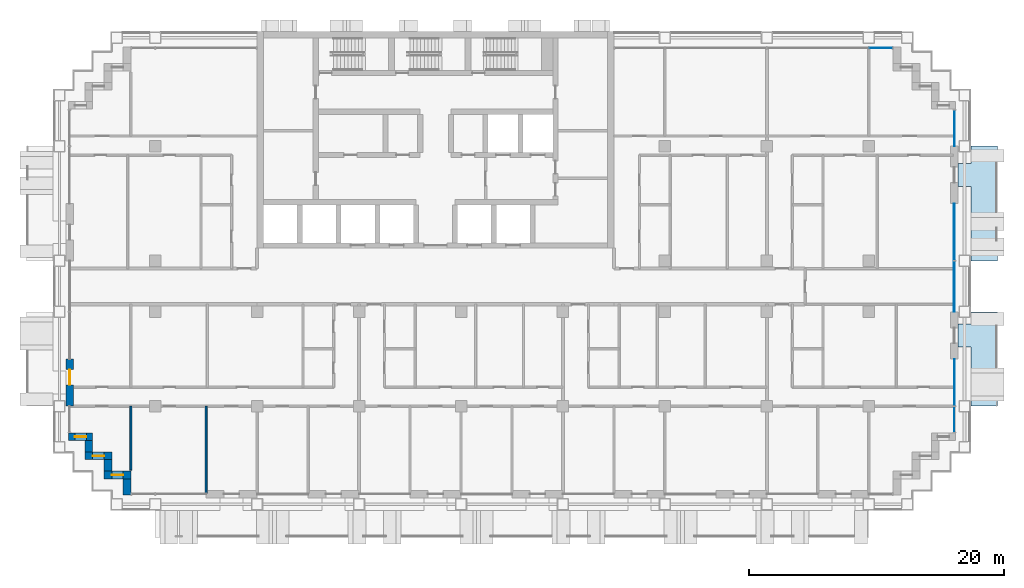
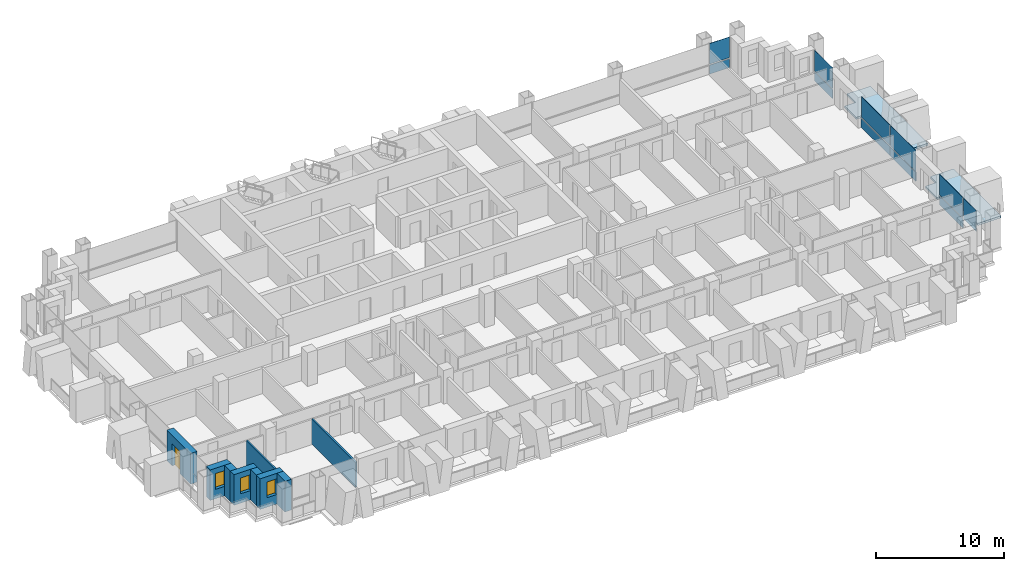
# One storey, part 8 of 18: 11 plates, 9 walls, 3 windows, 2 slabs, 1 door, 4 openings, 4 elements without a shape of their own.
"""IFC4 building model written with IfcOpenShell, lengths in metres."""

import ifcopenshell
import ifcopenshell.guid

model = None  # the IFC model being written
_history = None  # IfcOwnerHistory: only IFC2X3 demands one
_inside = {}  # id of a spatial element -> (the spatial element, [elements in it])
_under = {}  # id of a project, library or spatial element -> (it, [spatial elements below it])
_declared = {}  # id of a project -> (the project, [libraries it declares])
_typed = {}  # id of a type object -> (the type object, [elements of that type])
_made_of = {}  # id of a material, layer set ... -> (it, [elements and type objects made of it])


def new_model(schema):
    """Start an empty IFC model of exactly this schema.

    Asked for "IFC4X3", IfcOpenShell would pick the latest addendum, in which some entities
    have other attributes; the version numbers below select the first issue.
    IFC2X3 requires an IfcOwnerHistory on every rooted entity: one is made here for all.
    """
    global model, _history
    if schema == "IFC4X3":
        model = ifcopenshell.file(schema_version=(4, 3, 0, 0))
    else:
        model = ifcopenshell.file(schema=schema)
    _inside.clear()
    _under.clear()
    _declared.clear()
    _typed.clear()
    _made_of.clear()
    _history = None
    if model.schema == "IFC2X3":
        org = make("IfcOrganization", Name="unknown")
        user = make(
            "IfcPersonAndOrganization",
            ThePerson=make("IfcPerson", FamilyName="unknown"),
            TheOrganization=org,
        )
        app = make(
            "IfcApplication",
            ApplicationDeveloper=org,
            Version="unknown",
            ApplicationFullName="unknown",
            ApplicationIdentifier="unknown",
        )
        _history = make(
            "IfcOwnerHistory",
            OwningUser=user,
            OwningApplication=app,
            ChangeAction="ADDED",
            CreationDate=0,
        )
    return model


def make(cls, **values):
    """One entity of the class cls with the attributes given. An attribute that is None is left unset."""
    return model.create_entity(
        cls, **{name: value for name, value in values.items() if value is not None}
    )


def rooted(cls, **values):
    """An entity with a GlobalId (a new one), such as an element, a storey or a relation."""
    return make(cls, GlobalId=ifcopenshell.guid.new(), OwnerHistory=_history, **values)


def si_unit(unit_type, name, prefix=None):
    """IfcSIUnit, for example si_unit("LENGTHUNIT", "METRE", prefix="MILLI")."""
    return make("IfcSIUnit", UnitType=unit_type, Prefix=prefix, Name=name)


def assignment(units):
    """IfcUnitAssignment: the units of a project."""
    return None if units is None else make("IfcUnitAssignment", Units=units)


def point(xyz):
    """IfcCartesianPoint."""
    return None if xyz is None else make("IfcCartesianPoint", Coordinates=xyz)


def direction(xyz):
    """IfcDirection."""
    return None if xyz is None else make("IfcDirection", DirectionRatios=xyz)


def frame(location, z_axis=None, x_axis=None):
    """IfcAxis2Placement3D, a coordinate frame: its origin and axes. An axis left out is left unset."""
    return make(
        "IfcAxis2Placement3D",
        Location=point(location),
        Axis=direction(z_axis),
        RefDirection=direction(x_axis),
    )


def frame_2d(location, x_axis=None):
    """IfcAxis2Placement2D, a coordinate frame in the plane: its origin and x axis."""
    return make(
        "IfcAxis2Placement2D", Location=point(location), RefDirection=direction(x_axis)
    )


def origin():
    """The frame at (0, 0, 0) with its axes left unset."""
    return frame((0.0, 0.0, 0.0))


def origin_2d():
    """The frame at (0, 0) in the plane with its x axis left unset."""
    return frame_2d((0.0, 0.0))


def place(relative_to, where):
    """IfcLocalPlacement: puts the frame where relative to a parent placement (None: the world)."""
    return make(
        "IfcLocalPlacement", PlacementRelTo=relative_to, RelativePlacement=where
    )


def context(
    kind, dimensions, precision=None, world=None, true_north=None, identifier=None
):
    """IfcGeometricRepresentationContext, for example the 3D "Model" context."""
    return make(
        "IfcGeometricRepresentationContext",
        ContextIdentifier=identifier,
        ContextType=kind,
        CoordinateSpaceDimension=dimensions,
        Precision=precision,
        WorldCoordinateSystem=world,
        TrueNorth=true_north,
    )


def subcontext(parent, identifier, kind, view, scale=None):
    """IfcGeometricRepresentationSubContext, for example "Body" below "Model"."""
    return make(
        "IfcGeometricRepresentationSubContext",
        ContextIdentifier=identifier,
        ContextType=kind,
        ParentContext=parent,
        TargetScale=scale,
        TargetView=view,
    )


def project(units=None, contexts=None):
    """IfcProject with its units and contexts."""
    return rooted(
        "IfcProject",
        Name="project",
        RepresentationContexts=contexts,
        UnitsInContext=assignment(units),
    )


def spatial(cls, under=None, at=None, **own):
    """A site, building, storey or space (cls), placed at a placement, below another one or the project."""
    s = rooted(cls, ObjectPlacement=at, **own)
    if under is not None:
        _under.setdefault(under.id(), (under, []))[1].append(s)
    return s


def polyline(points):
    """IfcPolyline through the points."""
    return make("IfcPolyline", Points=[point(p) for p in points])


def profile(cls, at=None, kind="AREA", **sizes):
    """A parametric profile (cls). Its sizes go by their IFC names, for example OverallWidth=200.0."""
    return make(cls, ProfileType=kind, Position=at, **sizes)


def rectangle(**sizes):
    """IfcRectangleProfileDef."""
    return profile("IfcRectangleProfileDef", **sizes)


def outline(outer, holes=None, kind="AREA"):
    """IfcArbitraryClosedProfileDef: a profile drawn as a closed curve; with holes, ...WithVoids."""
    if holes is None:
        return make("IfcArbitraryClosedProfileDef", ProfileType=kind, OuterCurve=outer)
    return make(
        "IfcArbitraryProfileDefWithVoids",
        ProfileType=kind,
        OuterCurve=outer,
        InnerCurves=holes,
    )


def extrude(swept, where, along, depth):
    """IfcExtrudedAreaSolid: the profile swept, set in the frame where, extruded along a direction by depth."""
    return make(
        "IfcExtrudedAreaSolid",
        SweptArea=swept,
        Position=where,
        ExtrudedDirection=direction(along),
        Depth=depth,
    )


def shape(context_of_items, identifier, shape_type, items):
    """IfcShapeRepresentation: the items that make up one representation, for example the "Body"."""
    return make(
        "IfcShapeRepresentation",
        ContextOfItems=context_of_items,
        RepresentationIdentifier=identifier,
        RepresentationType=shape_type,
        Items=items,
    )


def material(Name=None, Category=None):
    """IfcMaterial."""
    return make("IfcMaterial", Name=Name, Category=Category)


def layer(
    of_material, thickness, ventilated=None, Name=None, Category=None, Priority=None
):
    """IfcMaterialLayer: one layer of a wall or slab, of a material (None: an air gap)."""
    return make(
        "IfcMaterialLayer",
        Material=of_material,
        LayerThickness=thickness,
        IsVentilated=ventilated,
        Name=Name,
        Category=Category,
        Priority=Priority,
    )


def layer_set(layers, Name=None):
    """IfcMaterialLayerSet."""
    return make("IfcMaterialLayerSet", MaterialLayers=layers, LayerSetName=Name)


def made_of(thing, what):
    """Note that an element or type object is made of a material, layer set ...; save() writes the relation."""
    if what is not None:
        _made_of.setdefault(what.id(), (what, []))[1].append(thing)
    return thing


def type_object(cls, material=None, **own):
    """A type object (cls), such as IfcWallType, which elements share."""
    return made_of(rooted(cls, **own), material)


def element(
    cls,
    number,
    at=None,
    inside=None,
    cuts=None,
    type_object=None,
    material=None,
    context=None,
    identifier="Body",
    shape_type=None,
    held_by="IfcProductDefinitionShape",
    body=None,
    shapes=None,
    **own,
):
    """One element of the class cls, such as IfcWall. Its Tag is "e" and its number.

    at: its placement. inside: the storey or other place that contains it. cuts: it is an
    opening in that element (IfcRelVoidsElement). A single representation is given by context,
    identifier, shape_type and body (its items); several are given by shapes. held_by: the class
    of the entity that holds the representations. save() writes the other relations.
    """
    e = rooted(cls, Tag="e%d" % number, ObjectPlacement=at, **own)
    if body is not None:
        shapes = [shape(context, identifier, shape_type, body)]
    if shapes is not None:
        e.Representation = make(held_by, Representations=shapes)
    if inside is not None:
        _inside.setdefault(inside.id(), (inside, []))[1].append(e)
    if cuts is not None:
        rooted(
            "IfcRelVoidsElement", RelatingBuildingElement=cuts, RelatedOpeningElement=e
        )
    if type_object is not None:
        _typed.setdefault(type_object.id(), (type_object, []))[1].append(e)
    return made_of(e, material)


def fill(opening, filler):
    """IfcRelFillsElement: the door or window that sits in an opening."""
    return rooted(
        "IfcRelFillsElement",
        RelatingOpeningElement=opening,
        RelatedBuildingElement=filler,
    )


def aggregate(whole, parts):
    """IfcRelAggregates: a whole, such as a stair, and the parts it consists of."""
    return rooted("IfcRelAggregates", RelatingObject=whole, RelatedObjects=parts)


def save(model, path):
    """Write the relations noted so far, then the file.

    IfcRelAggregates (storeys below a building ...), IfcRelContainedInSpatialStructure (elements
    in a storey), IfcRelDefinesByType, IfcRelAssociatesMaterial and IfcRelDeclares: one each for
    every whole, place, type object, material and project.
    """
    for whole, parts in _under.values():
        aggregate(whole, parts)
    for where, things in _inside.values():
        rooted(
            "IfcRelContainedInSpatialStructure",
            RelatedElements=things,
            RelatingStructure=where,
        )
    for kind, things in _typed.values():
        rooted("IfcRelDefinesByType", RelatedObjects=things, RelatingType=kind)
    for what, things in _made_of.values():
        rooted("IfcRelAssociatesMaterial", RelatedObjects=things, RelatingMaterial=what)
    for by, libraries in _declared.values():
        rooted("IfcRelDeclares", RelatingContext=by, RelatedDefinitions=libraries)
    model.write(path)


model = new_model("IFC4")

# Units and contexts
model_context = context("Model", 3, precision=1e-05, world=origin(), true_north=direction((0.0, 1.0)))
body_context = subcontext(model_context, "Body", "Model", "MODEL_VIEW")
ifc_project = project(units=[si_unit("LENGTHUNIT", "METRE"), si_unit("AREAUNIT", "SQUARE_METRE"), si_unit("VOLUMEUNIT", "CUBIC_METRE"), si_unit("PLANEANGLEUNIT", "RADIAN"), si_unit("MASSUNIT", "GRAM", prefix="KILO")], contexts=[model_context])

# Site, building, storey
site_placement = place(None, origin())
site = spatial("IfcSite", under=ifc_project, at=site_placement, CompositionType="ELEMENT")
building_placement = place(site_placement, origin())
building = spatial("IfcBuilding", under=site, at=building_placement, Name="Vidyagriha Tower", CompositionType="ELEMENT")
storey_placement = place(building_placement, frame((0.0, 0.0, 80.699951171875)))
storey = spatial("IfcBuildingStorey", under=building, at=storey_placement, Name="L20", CompositionType="ELEMENT", Elevation=80.699951171875)

# Curtain wall, plate
ifc_material_1 = material(Name="Aluminium and glass curtain wall", Category="aluminium")
curtain_wall_type = type_object("IfcCurtainWallType", Name="Dwelling skin unitised curtain wall", PredefinedType="USERDEFINED", material=ifc_material_1)
curtain_wall_1_placement = place(storey_placement, origin())
curtain_wall_1 = element("IfcCurtainWall", 1, at=curtain_wall_1_placement, inside=storey, type_object=curtain_wall_type, Name="CW1 dwelling skin", ObjectType="UNITISED", PredefinedType="USERDEFINED")
ifc_material_2 = material(Name="Glass dark ceramic-fritted spandrel", Category="glass")
ifc_layer_1 = layer(ifc_material_2, 0.0400390625)
ifc_layer_set_1 = layer_set([ifc_layer_1], Name="Glass dark ceramic-fritted spandrel")
plate_type_1 = type_object("IfcPlateType", Name="Ceramic-fritted spandrel panel", PredefinedType="CURTAIN_PANEL", material=ifc_layer_set_1)
plate_1_placement = place(storey_placement, frame((34.9326171875, 18.699951171875, 0.0), z_axis=(0.0, 0.0, 1.0), x_axis=(-1.0, 0.0, 0.0)))
plate_1 = element("IfcPlate", 2, at=plate_1_placement, type_object=plate_type_1, Name="CW1 panel 1.1", PredefinedType="CURTAIN_PANEL", context=body_context, shape_type="SweptSolid", body=[
    extrude(rectangle(XDim=1.794921875, YDim=0.0400390625, at=origin_2d()), origin(), (0.0, 0.0, 1.0), 0.85009765625),
])

curtain_wall_2_placement = place(storey_placement, origin())
curtain_wall_2 = element("IfcCurtainWall", 3, at=curtain_wall_2_placement, inside=storey, type_object=curtain_wall_type, Name="CW1 dwelling skin", ObjectType="UNITISED", PredefinedType="USERDEFINED")
plate_2_placement = place(storey_placement, frame((40.699951171875, -7.532470703125, 0.0), z_axis=(0.0, 0.0, 1.0), x_axis=(0.0, 1.0, 0.0)))
plate_2 = element("IfcPlate", 4, at=plate_2_placement, type_object=plate_type_1, Name="CW1 panel 2.1", PredefinedType="CURTAIN_PANEL", context=body_context, shape_type="SweptSolid", body=[
    extrude(rectangle(XDim=3.6650390625, YDim=0.0400390625, at=origin_2d()), origin(), (0.0, 0.0, 1.0), 0.85009765625),
])

curtain_wall_3_placement = place(storey_placement, origin())
curtain_wall_3 = element("IfcCurtainWall", 5, at=curtain_wall_3_placement, inside=storey, type_object=curtain_wall_type, Name="CW1 dwelling skin", ObjectType="UNITISED", PredefinedType="USERDEFINED")
plate_3_placement = place(storey_placement, frame((40.699951171875, 12.4150390625, 0.0), z_axis=(0.0, 0.0, 1.0), x_axis=(0.0, 1.0, 0.0)))
plate_3 = element("IfcPlate", 6, at=plate_3_placement, type_object=plate_type_1, Name="CW1 panel 1.1", PredefinedType="CURTAIN_PANEL", context=body_context, shape_type="SweptSolid", body=[
    extrude(rectangle(XDim=2.830078125, YDim=0.0400390625, at=origin_2d()), origin(), (0.0, 0.0, 1.0), 0.85009765625),
])

# Plate
ifc_material_3 = material(Name="Glass dark ceramic-fritted", Category="glass")
ifc_layer_2 = layer(ifc_material_3, 0.028076171875)
ifc_layer_set_2 = layer_set([ifc_layer_2], Name="Glass dark ceramic-fritted")
plate_type_2 = type_object("IfcPlateType", Name="Dark ceramic-fritted vision glass panel", PredefinedType="CURTAIN_PANEL", material=ifc_layer_set_2)
plate_4_placement = place(storey_placement, frame((34.9326171875, 18.699951171875, 0.9501953125), z_axis=(0.0, 0.0, 1.0), x_axis=(-1.0, 0.0, 0.0)))
plate_4 = element("IfcPlate", 7, at=plate_4_placement, type_object=plate_type_2, Name="CW1 panel 1.2", PredefinedType="CURTAIN_PANEL", context=body_context, shape_type="SweptSolid", body=[
    extrude(rectangle(XDim=1.794921875, YDim=0.028076171875, at=origin_2d()), origin(), (0.0, 0.0, 1.0), 1.969970703125),
])

aggregate(curtain_wall_1, [plate_1, plate_4])

plate_5_placement = place(storey_placement, frame((40.699951171875, -10.4326171875, 0.9501953125), z_axis=(0.0, 0.0, 1.0), x_axis=(0.0, 1.0, 0.0)))
plate_5 = element("IfcPlate", 8, at=plate_5_placement, type_object=plate_type_2, Name="CW1 panel 1.2", PredefinedType="CURTAIN_PANEL", context=body_context, shape_type="SweptSolid", body=[
    extrude(rectangle(XDim=1.9951171875, YDim=0.028076171875, at=origin_2d()), origin(), (0.0, 0.0, 1.0), 1.969970703125),
])

plate_6_placement = place(storey_placement, frame((40.699951171875, -7.532470703125, 0.9501953125), z_axis=(0.0, 0.0, 1.0), x_axis=(0.0, 1.0, 0.0)))
plate_6 = element("IfcPlate", 9, at=plate_6_placement, type_object=plate_type_2, Name="CW1 panel 2.2", PredefinedType="CURTAIN_PANEL", context=body_context, shape_type="SweptSolid", body=[
    extrude(rectangle(XDim=3.6650390625, YDim=0.028076171875, at=origin_2d()), origin(), (0.0, 0.0, 1.0), 1.969970703125),
])

aggregate(curtain_wall_2, [plate_5, plate_2, plate_6])

# Curtain wall, plates
curtain_wall_4_placement = place(storey_placement, origin())
curtain_wall_4 = element("IfcCurtainWall", 10, at=curtain_wall_4_placement, inside=storey, type_object=curtain_wall_type, Name="CW1 dwelling skin", ObjectType="UNITISED", PredefinedType="USERDEFINED")
plate_7_placement = place(storey_placement, frame((40.699951171875, -0.017578125, 0.9501953125), z_axis=(0.0, 0.0, 1.0), x_axis=(0.0, 1.0, 0.0)))
plate_7 = element("IfcPlate", 11, at=plate_7_placement, type_object=plate_type_2, Name="CW1 panel 1.2", PredefinedType="CURTAIN_PANEL", context=body_context, shape_type="SweptSolid", body=[
    extrude(rectangle(XDim=3.965087890625, YDim=0.028076171875, at=origin_2d()), origin(), (0.0, 0.0, 1.0), 1.969970703125),
])
plate_8_placement = place(storey_placement, frame((40.699951171875, 4.267578125, 0.9501953125), z_axis=(0.0, 0.0, 1.0), x_axis=(0.0, 1.0, 0.0)))
plate_8 = element("IfcPlate", 12, at=plate_8_placement, type_object=plate_type_2, Name="CW1 panel 2.2", PredefinedType="CURTAIN_PANEL", context=body_context, shape_type="SweptSolid", body=[
    extrude(rectangle(XDim=4.465087890625, YDim=0.028076171875, at=origin_2d()), origin(), (0.0, 0.0, 1.0), 1.969970703125),
])

# Plate
plate_9_placement = place(storey_placement, frame((40.699951171875, 12.4150390625, 0.9501953125), z_axis=(0.0, 0.0, 1.0), x_axis=(0.0, 1.0, 0.0)))
plate_9 = element("IfcPlate", 13, at=plate_9_placement, type_object=plate_type_2, Name="CW1 panel 1.2", PredefinedType="CURTAIN_PANEL", context=body_context, shape_type="SweptSolid", body=[
    extrude(rectangle(XDim=2.830078125, YDim=0.028076171875, at=origin_2d()), origin(), (0.0, 0.0, 1.0), 1.969970703125),
])

aggregate(curtain_wall_3, [plate_3, plate_9])

ifc_material_4 = material(Name="Aluminium black anodised", Category="aluminium")
ifc_layer_3 = layer(ifc_material_4, 0.06005859375)
ifc_layer_set_3 = layer_set([ifc_layer_3], Name="Aluminium black anodised")
plate_type_3 = type_object("IfcPlateType", Name="Operable black-metal vent panel", PredefinedType="CURTAIN_PANEL", material=ifc_layer_set_3)
plate_10_placement = place(storey_placement, frame((40.699951171875, -0.017578125, 0.0), z_axis=(0.0, 0.0, 1.0), x_axis=(0.0, 1.0, 0.0)))
plate_10 = element("IfcPlate", 14, at=plate_10_placement, type_object=plate_type_3, Name="CW1 panel 1.1", PredefinedType="CURTAIN_PANEL", context=body_context, shape_type="SweptSolid", body=[
    extrude(rectangle(XDim=3.965087890625, YDim=0.06005859375, at=origin_2d()), origin(), (0.0, 0.0, 1.0), 0.85009765625),
])

plate_11_placement = place(storey_placement, frame((40.699951171875, 4.267578125, 0.0), z_axis=(0.0, 0.0, 1.0), x_axis=(0.0, 1.0, 0.0)))
plate_11 = element("IfcPlate", 15, at=plate_11_placement, type_object=plate_type_3, Name="CW1 panel 2.1", PredefinedType="CURTAIN_PANEL", context=body_context, shape_type="SweptSolid", body=[
    extrude(rectangle(XDim=4.465087890625, YDim=0.06005859375, at=origin_2d()), origin(), (0.0, 0.0, 1.0), 0.85009765625),
])

aggregate(curtain_wall_4, [plate_10, plate_7, plate_11, plate_8])

# Slabs
ifc_material_5 = material(Name="Precast concrete C40/50", Category="concrete")
ifc_layer_4 = layer(ifc_material_5, 0.199951171875)
ifc_layer_set_4 = layer_set([ifc_layer_4], Name="Precast concrete C40/50")
slab_type = type_object("IfcSlabType", Name="Precast balcony slab 200", PredefinedType="USERDEFINED", material=ifc_layer_set_4)
slab_1_placement = place(storey_placement, frame((0.0, 0.0, -0.199951171875)))
element("IfcSlab", 16, at=slab_1_placement, inside=storey, type_object=slab_type, Name="Balcony slab L20 R30.1-1", ObjectType="BALCONY", PredefinedType="USERDEFINED", context=body_context, shape_type="SweptSolid", body=[
    extrude(outline(polyline([(42.0, -4.75), (42.0, -9.39990234375), (44.10009765625, -9.39990234375), (44.10009765625, -2.0), (42.0, -2.0), (42.0, -2.949951171875), (41.0, -2.949951171875), (41.0, -4.75), (42.0, -4.75)])), origin(), (0.0, 0.0, 1.0), 0.199951171875),
])
slab_2_placement = place(storey_placement, frame((0.0, 0.0, -0.199951171875)))
element("IfcSlab", 17, at=slab_2_placement, inside=storey, type_object=slab_type, Name="Balcony slab L20 R30.2-2", ObjectType="BALCONY", PredefinedType="USERDEFINED", context=body_context, shape_type="SweptSolid", body=[
    extrude(outline(polyline([(42.0, 7.85009765625), (42.0, 2.0), (44.10009765625, 2.0), (44.10009765625, 11.0), (42.0, 11.0), (42.0, 9.64990234375), (41.0, 9.64990234375), (41.0, 7.85009765625), (42.0, 7.85009765625)])), origin(), (0.0, 0.0, 1.0), 0.199951171875),
])

# Wall, opening, door
ifc_material_6 = material(Name="Precast concrete C40/50 with brick facing", Category="concrete")
ifc_layer_5 = layer(ifc_material_6, 0.60009765625)
ifc_layer_set_5 = layer_set([ifc_layer_5], Name="Precast concrete C40/50 with brick facing")
wall_type_1 = type_object("IfcWallType", Name="Brick-faced precast wall 600", PredefinedType="STANDARD", material=ifc_layer_set_5)
wall_1_placement = place(storey_placement, frame((-28.699951171875, -5.699951171875, 0.0), z_axis=(0.0, 0.0, 1.0), x_axis=(0.0, -1.0, 0.0)))
wall_1 = element("IfcWall", 18, at=wall_1_placement, inside=storey, type_object=wall_type_1, Name="Brick door bay wall L20 R16.6", PredefinedType="STANDARD", context=body_context, shape_type="SweptSolid", body=[
    extrude(rectangle(XDim=3.699951171875, YDim=0.60009765625, at=frame_2d((1.85009765625, 0.0))), origin(), (0.0, 0.0, 1.0), 2.920166015625),
])
opening_1_placement = place(wall_1_placement, frame((0.824951171875, 0.0, 0.0)))
opening_1 = element("IfcOpeningElement", 19, at=opening_1_placement, cuts=wall_1, Name="Opening D20-75", PredefinedType="OPENING", context=body_context, shape_type="SweptSolid", body=[
    extrude(rectangle(XDim=1.199951171875, YDim=2.10009765625, at=frame_2d((0.60009765625, 1.050048828125))), frame((0.0, 0.31005859375, 0.0), z_axis=(0.0, -1.0, 0.0), x_axis=(1.0, 0.0, 0.0)), (0.0, 0.0, 1.0), 0.6201171875),
])
ifc_material_7 = material(Name="Aluminium framed glazed sliding door", Category="aluminium")
door_type = type_object("IfcDoorType", Name="Balcony sliding door 1200x2100", OperationType="NOTDEFINED", PredefinedType="DOOR", material=ifc_material_7)
door_placement = place(opening_1_placement, origin())
door = element("IfcDoor", 20, at=door_placement, inside=storey, type_object=door_type, Name="Door D20-75", OperationType="SLIDING_TO_LEFT", OverallHeight=2.10009765625, OverallWidth=1.199951171875, PredefinedType="DOOR", context=body_context, shape_type="SweptSolid", body=[
    extrude(rectangle(XDim=1.199951171875, YDim=2.10009765625, at=frame_2d((0.60009765625, 1.050048828125))), frame((0.0, 0.02490234375, 0.0), z_axis=(0.0, -1.0, 0.0), x_axis=(1.0, 0.0, 0.0)), (0.0, 0.0, 1.0), 0.050048828125),
])
fill(opening_1, door)

# Wall, opening, window
wall_2_placement = place(storey_placement, frame((-28.780029296875, -11.800048828125, 0.0)))
wall_2 = element("IfcWall", 21, at=wall_2_placement, inside=storey, type_object=wall_type_1, Name="Stepped corner wall L20 R17", PredefinedType="STANDARD", context=body_context, shape_type="SweptSolid", body=[
    extrude(rectangle(XDim=1.880126953125, YDim=0.60009765625, at=frame_2d((0.93994140625, 0.0))), origin(), (0.0, 0.0, 1.0), 2.920166015625),
])
opening_2_placement = place(wall_2_placement, frame((0.489990234375, 0.0, 0.89990234375)))
opening_2 = element("IfcOpeningElement", 22, at=opening_2_placement, cuts=wall_2, Name="Opening WN1", PredefinedType="OPENING", context=body_context, shape_type="SweptSolid", body=[
    extrude(rectangle(XDim=0.89990234375, YDim=1.5, at=frame_2d((0.449951171875, 0.75))), frame((0.0, 0.31005859375, 0.0), z_axis=(0.0, -1.0, 0.0), x_axis=(1.0, 0.0, 0.0)), (0.0, 0.0, 1.0), 0.6201171875),
])
ifc_material_8 = material(Name="Aluminium and glass window", Category="aluminium")
window_type = type_object("IfcWindowType", Name="Reveal window 900x1500", PartitioningType="NOTDEFINED", PredefinedType="WINDOW", material=ifc_material_8)
window_1_placement = place(opening_2_placement, origin())
window_1 = element("IfcWindow", 23, at=window_1_placement, inside=storey, type_object=window_type, Name="Reveal window L20 R17", OverallHeight=1.5, OverallWidth=0.89990234375, PartitioningType="SINGLE_PANEL", PredefinedType="WINDOW", context=body_context, shape_type="SweptSolid", body=[
    extrude(rectangle(XDim=0.89990234375, YDim=1.5, at=frame_2d((0.449951171875, 0.75))), frame((0.0, 0.030029296875, 0.0), z_axis=(0.0, -1.0, 0.0), x_axis=(1.0, 0.0, 0.0)), (0.0, 0.0, 1.0), 0.06005859375),
])
fill(opening_2, window_1)

# Wall
wall_3_placement = place(storey_placement, frame((-27.199951171875, -12.10009765625, 0.0), z_axis=(0.0, 0.0, 1.0), x_axis=(0.0, -1.0, 0.0)))
element("IfcWall", 24, at=wall_3_placement, inside=storey, type_object=wall_type_1, Name="Stepped corner wall L20 R18", PredefinedType="STANDARD", context=body_context, shape_type="SweptSolid", body=[
    extrude(rectangle(XDim=0.89990234375, YDim=0.60009765625, at=frame_2d((0.449951171875, 0.0))), origin(), (0.0, 0.0, 1.0), 2.920166015625),
])

# Wall, opening, window
wall_4_placement = place(storey_placement, frame((-27.5, -13.300048828125, 0.0)))
wall_4 = element("IfcWall", 25, at=wall_4_placement, inside=storey, type_object=wall_type_1, Name="Stepped corner wall L20 R19", PredefinedType="STANDARD", context=body_context, shape_type="SweptSolid", body=[
    extrude(rectangle(XDim=2.10009765625, YDim=0.60009765625, at=frame_2d((1.050048828125, 0.0))), origin(), (0.0, 0.0, 1.0), 2.920166015625),
])
opening_3_placement = place(wall_4_placement, frame((0.60009765625, 0.0, 0.89990234375)))
opening_3 = element("IfcOpeningElement", 26, at=opening_3_placement, cuts=wall_4, Name="Opening WN1", PredefinedType="OPENING", context=body_context, shape_type="SweptSolid", body=[
    extrude(rectangle(XDim=0.89990234375, YDim=1.5, at=frame_2d((0.449951171875, 0.75))), frame((0.0, 0.31005859375, 0.0), z_axis=(0.0, -1.0, 0.0), x_axis=(1.0, 0.0, 0.0)), (0.0, 0.0, 1.0), 0.6201171875),
])
window_2_placement = place(opening_3_placement, origin())
window_2 = element("IfcWindow", 27, at=window_2_placement, inside=storey, type_object=window_type, Name="Reveal window L20 R19", OverallHeight=1.5, OverallWidth=0.89990234375, PartitioningType="SINGLE_PANEL", PredefinedType="WINDOW", context=body_context, shape_type="SweptSolid", body=[
    extrude(rectangle(XDim=0.89990234375, YDim=1.5, at=frame_2d((0.449951171875, 0.75))), frame((0.0, 0.030029296875, 0.0), z_axis=(0.0, -1.0, 0.0), x_axis=(1.0, 0.0, 0.0)), (0.0, 0.0, 1.0), 0.06005859375),
])
fill(opening_3, window_2)

# Wall
wall_5_placement = place(storey_placement, frame((-25.699951171875, -13.60009765625, 0.0), z_axis=(0.0, 0.0, 1.0), x_axis=(0.0, -1.0, 0.0)))
element("IfcWall", 28, at=wall_5_placement, inside=storey, type_object=wall_type_1, Name="Stepped corner wall L20 R20", PredefinedType="STANDARD", context=body_context, shape_type="SweptSolid", body=[
    extrude(rectangle(XDim=0.89990234375, YDim=0.60009765625, at=frame_2d((0.449951171875, 0.0))), origin(), (0.0, 0.0, 1.0), 2.920166015625),
])

# Wall, opening, window
wall_6_placement = place(storey_placement, frame((-26.0, -14.800048828125, 0.0)))
wall_6 = element("IfcWall", 29, at=wall_6_placement, inside=storey, type_object=wall_type_1, Name="Stepped corner wall L20 R21", PredefinedType="STANDARD", context=body_context, shape_type="SweptSolid", body=[
    extrude(rectangle(XDim=2.10009765625, YDim=0.60009765625, at=frame_2d((1.050048828125, 0.0))), origin(), (0.0, 0.0, 1.0), 2.920166015625),
])
opening_4_placement = place(wall_6_placement, frame((0.60009765625, 0.0, 0.89990234375)))
opening_4 = element("IfcOpeningElement", 30, at=opening_4_placement, cuts=wall_6, Name="Opening WN1", PredefinedType="OPENING", context=body_context, shape_type="SweptSolid", body=[
    extrude(rectangle(XDim=0.89990234375, YDim=1.5, at=frame_2d((0.449951171875, 0.75))), frame((0.0, 0.31005859375, 0.0), z_axis=(0.0, -1.0, 0.0), x_axis=(1.0, 0.0, 0.0)), (0.0, 0.0, 1.0), 0.6201171875),
])
window_3_placement = place(opening_4_placement, origin())
window_3 = element("IfcWindow", 31, at=window_3_placement, inside=storey, type_object=window_type, Name="Reveal window L20 R21", OverallHeight=1.5, OverallWidth=0.89990234375, PartitioningType="SINGLE_PANEL", PredefinedType="WINDOW", context=body_context, shape_type="SweptSolid", body=[
    extrude(rectangle(XDim=0.89990234375, YDim=1.5, at=frame_2d((0.449951171875, 0.75))), frame((0.0, 0.030029296875, 0.0), z_axis=(0.0, -1.0, 0.0), x_axis=(1.0, 0.0, 0.0)), (0.0, 0.0, 1.0), 0.06005859375),
])
fill(opening_4, window_3)

# Walls
wall_7_placement = place(storey_placement, frame((-24.199951171875, -15.10009765625, 0.0), z_axis=(0.0, 0.0, 1.0), x_axis=(0.0, -1.0, 0.0)))
element("IfcWall", 32, at=wall_7_placement, inside=storey, type_object=wall_type_1, Name="Stepped corner wall L20 R22", PredefinedType="STANDARD", context=body_context, shape_type="SweptSolid", body=[
    extrude(rectangle(XDim=1.27978515625, YDim=0.60009765625, at=frame_2d((0.639892578125, 0.0))), origin(), (0.0, 0.0, 1.0), 2.920166015625),
])
ifc_material_9 = material(Name="Gypsum board partition")
ifc_layer_6 = layer(ifc_material_9, 0.14990234375)
ifc_layer_set_6 = layer_set([ifc_layer_6], Name="Gypsum board partition")
wall_type_2 = type_object("IfcWallType", Name="Gypsum board partition 150", PredefinedType="PARTITIONING", material=ifc_layer_set_6)
wall_8_placement = place(storey_placement, frame((-23.89990234375, -9.39990234375, 0.0), z_axis=(0.0, 0.0, 1.0), x_axis=(0.0, -1.0, 0.0)))
element("IfcWall", 33, at=wall_8_placement, inside=storey, type_object=wall_type_2, Name="Wall all-L20-w018", PredefinedType="PARTITIONING", context=body_context, shape_type="SweptSolid", body=[
    extrude(rectangle(XDim=5.02001953125, YDim=0.14990234375, at=frame_2d((2.510009765625, 0.0))), origin(), (0.0, 0.0, 1.0), 2.400146484375),
])
wall_9_placement = place(storey_placement, frame((-18.0, -9.39990234375, 0.0), z_axis=(0.0, 0.0, 1.0), x_axis=(0.0, -1.0, 0.0)))
element("IfcWall", 34, at=wall_9_placement, inside=storey, type_object=wall_type_2, Name="Wall all-L20-w019", PredefinedType="PARTITIONING", context=body_context, shape_type="SweptSolid", body=[
    extrude(rectangle(XDim=6.821044921875, YDim=0.14990234375, at=frame_2d((3.41064453125, 0.0))), origin(), (0.0, 0.0, 1.0), 2.400146484375),
])

save(model, "model.ifc")
